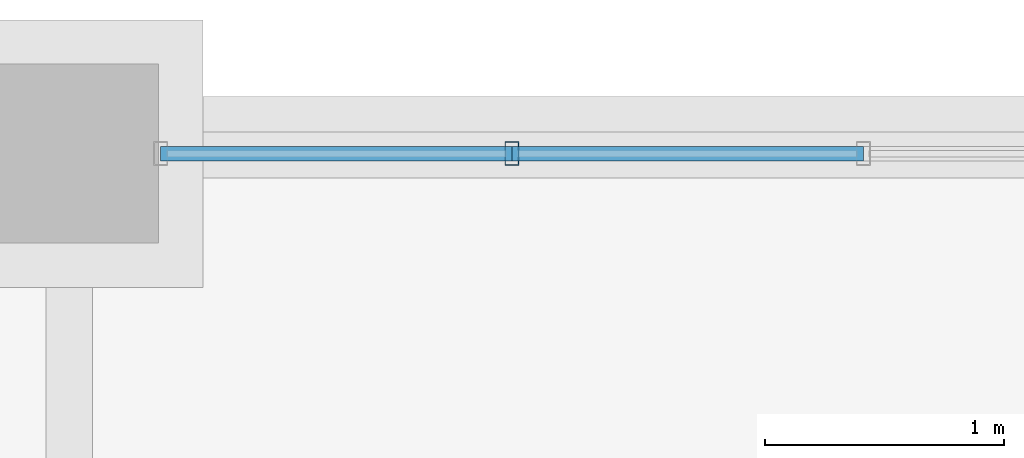
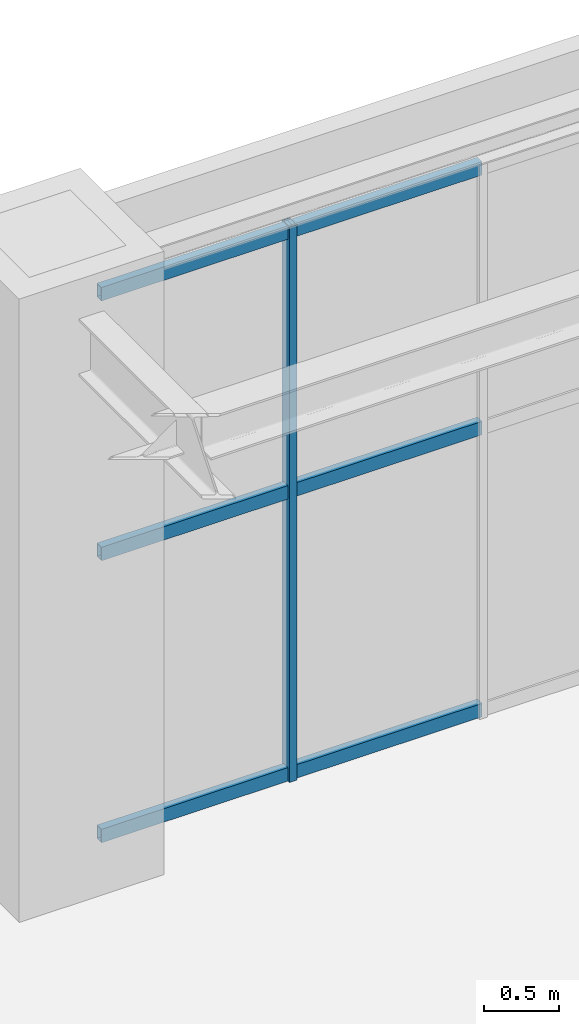
# One storey, part 78 of 174: 7 members, 1 element without a shape of its own.
"""IFC4 building model written with IfcOpenShell, lengths in metres."""

from ifc_helpers import new_model, si_unit, direction, frame, origin, origin_2d, place, context, subcontext, project, spatial, hollow_rectangle, extrude, material, material_profile, profile_set, type_object, element, aggregate, save


model = new_model("IFC4")

# Units and contexts
model_context = context("Model", 3, precision=1e-05, world=origin(), true_north=direction((0.0, 1.0)))
body_context = subcontext(model_context, "Body", "Model", "MODEL_VIEW")
ifc_project = project(units=[si_unit("LENGTHUNIT", "METRE"), si_unit("AREAUNIT", "SQUARE_METRE"), si_unit("VOLUMEUNIT", "CUBIC_METRE"), si_unit("PLANEANGLEUNIT", "RADIAN"), si_unit("MASSUNIT", "GRAM", prefix="KILO")], contexts=[model_context])

# Site, building, storey
site_placement = place(None, origin())
site = spatial("IfcSite", under=ifc_project, at=site_placement, CompositionType="ELEMENT")
building_placement = place(site_placement, origin())
building = spatial("IfcBuilding", under=site, at=building_placement, Name="Mavantir Sound Aquarium", CompositionType="ELEMENT")
storey_placement = place(building_placement, frame((0.0, 0.0, 5.39990234375)))
storey = spatial("IfcBuildingStorey", under=building, at=storey_placement, Name="L01", CompositionType="ELEMENT", Elevation=5.39990234375)

# Curtain wall, members
ifc_material_1 = material(Name="Anodised Marine Aluminium and Low-E Glass", Category="aluminium")
curtain_wall_type = type_object("IfcCurtainWallType", Name="CW-T21", PredefinedType="USERDEFINED", material=ifc_material_1)
curtain_wall_placement = place(storey_placement, origin())
curtain_wall = element("IfcCurtainWall", 1, at=curtain_wall_placement, inside=storey, type_object=curtain_wall_type, Name="L01 unitised curtain wall CW-21 117", ObjectType="UNITISED GLAZING", PredefinedType="USERDEFINED")
ifc_material_2 = material(Name="Anodised Marine Aluminium 6063-T6", Category="aluminium")
ifc_material_profile_1 = material_profile(ifc_material_2, hollow_rectangle(XDim=0.06005859375, YDim=0.10009765625, WallThickness=0.00390625, at=origin_2d()), Name="ALU-MULLION-100X60")
ifc_profile_set_1 = profile_set([ifc_material_profile_1], Name="Anodised Marine Aluminium 6063-T6")
member_type_1 = type_object("IfcMemberType", Name="CW-MUL-100", PredefinedType="MULLION", material=ifc_profile_set_1)
member_1_placement = place(storey_placement, frame((30.6552734375, 116.0, 0.0), z_axis=(0.0, 0.0, 1.0), x_axis=(1.0, 0.0, 0.0)))
member_1 = element("IfcMember", 2, at=member_1_placement, type_object=member_type_1, Name="CW-L01-117 vertical mullion 6", PredefinedType="MULLION", context=body_context, shape_type="SweptSolid", body=[
    extrude(hollow_rectangle(XDim=0.06005859375, YDim=0.10009765625, WallThickness=0.00390625, at=origin_2d()), origin(), (0.0, 0.0, 1.0), 4.543212890625),
])
ifc_material_profile_2 = material_profile(ifc_material_2, hollow_rectangle(XDim=0.06005859375, YDim=0.110107421875, WallThickness=0.00390625, at=origin_2d()), Name="ALU-TRANSOM-110X60")
ifc_profile_set_2 = profile_set([ifc_material_profile_2], Name="Anodised Marine Aluminium 6063-T6")
member_type_2 = type_object("IfcMemberType", Name="CW-TRN-110", PredefinedType="USERDEFINED", material=ifc_profile_set_2)
member_2_placement = place(storey_placement, frame((32.127685546875, 116.0, 0.05517578125), z_axis=(-1.0, 0.0, 0.0), x_axis=(0.0, -1.0, 0.0)))
member_2 = element("IfcMember", 3, at=member_2_placement, type_object=member_type_2, Name="CW-L01-117 transom 5.1", ObjectType="TRANSOM", PredefinedType="USERDEFINED", context=body_context, shape_type="SweptSolid", body=[
    extrude(hollow_rectangle(XDim=0.06005859375, YDim=0.110107421875, WallThickness=0.00390625, at=origin_2d()), origin(), (0.0, 0.0, 1.0), 1.472412109375),
])
member_3_placement = place(storey_placement, frame((32.127685546875, 116.0, 2.362548828125), z_axis=(-1.0, 0.0, 0.0), x_axis=(0.0, -1.0, 0.0)))
member_3 = element("IfcMember", 4, at=member_3_placement, type_object=member_type_2, Name="CW-L01-117 transom 5.2", ObjectType="TRANSOM", PredefinedType="USERDEFINED", context=body_context, shape_type="SweptSolid", body=[
    extrude(hollow_rectangle(XDim=0.06005859375, YDim=0.110107421875, WallThickness=0.00390625, at=origin_2d()), origin(), (0.0, 0.0, 1.0), 1.472412109375),
])
member_4_placement = place(storey_placement, frame((32.127685546875, 116.0, 4.488037109375), z_axis=(-1.0, 0.0, 0.0), x_axis=(0.0, -1.0, 0.0)))
member_4 = element("IfcMember", 5, at=member_4_placement, type_object=member_type_2, Name="CW-L01-117 transom 5.3", ObjectType="TRANSOM", PredefinedType="USERDEFINED", context=body_context, shape_type="SweptSolid", body=[
    extrude(hollow_rectangle(XDim=0.06005859375, YDim=0.110107421875, WallThickness=0.00390625, at=origin_2d()), origin(), (0.0, 0.0, 1.0), 1.472412109375),
])
member_5_placement = place(storey_placement, frame((30.6552734375, 116.0, 0.05517578125), z_axis=(-1.0, 0.0, 0.0), x_axis=(0.0, -1.0, 0.0)))
member_5 = element("IfcMember", 6, at=member_5_placement, type_object=member_type_2, Name="CW-L01-117 transom 6.1", ObjectType="TRANSOM", PredefinedType="USERDEFINED", context=body_context, shape_type="SweptSolid", body=[
    extrude(hollow_rectangle(XDim=0.06005859375, YDim=0.110107421875, WallThickness=0.00390625, at=origin_2d()), origin(), (0.0, 0.0, 1.0), 1.47216796875),
])
member_6_placement = place(storey_placement, frame((30.6552734375, 116.0, 2.362548828125), z_axis=(-1.0, 0.0, 0.0), x_axis=(0.0, -1.0, 0.0)))
member_6 = element("IfcMember", 7, at=member_6_placement, type_object=member_type_2, Name="CW-L01-117 transom 6.2", ObjectType="TRANSOM", PredefinedType="USERDEFINED", context=body_context, shape_type="SweptSolid", body=[
    extrude(hollow_rectangle(XDim=0.06005859375, YDim=0.110107421875, WallThickness=0.00390625, at=origin_2d()), origin(), (0.0, 0.0, 1.0), 1.47216796875),
])
member_7_placement = place(storey_placement, frame((30.6552734375, 116.0, 4.488037109375), z_axis=(-1.0, 0.0, 0.0), x_axis=(0.0, -1.0, 0.0)))
member_7 = element("IfcMember", 8, at=member_7_placement, type_object=member_type_2, Name="CW-L01-117 transom 6.3", ObjectType="TRANSOM", PredefinedType="USERDEFINED", context=body_context, shape_type="SweptSolid", body=[
    extrude(hollow_rectangle(XDim=0.06005859375, YDim=0.110107421875, WallThickness=0.00390625, at=origin_2d()), origin(), (0.0, 0.0, 1.0), 1.47216796875),
])
aggregate(curtain_wall, [member_1, member_2, member_3, member_4, member_5, member_6, member_7])

save(model, "model.ifc")
